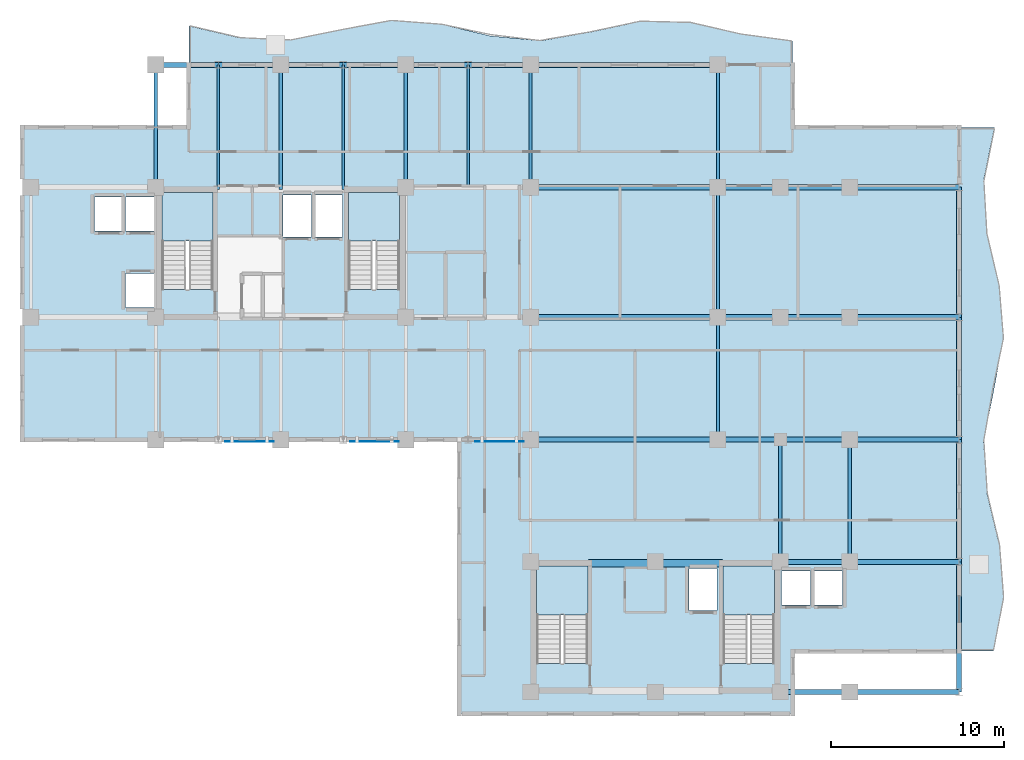
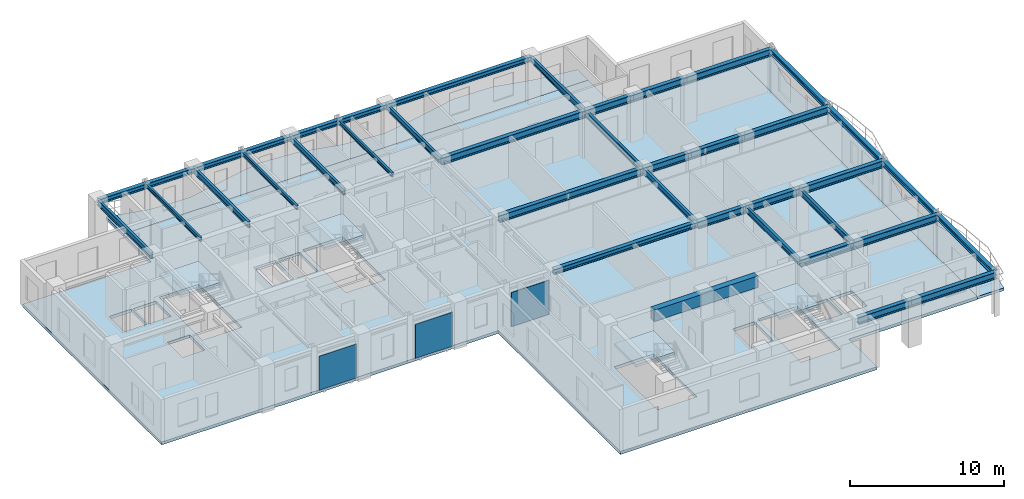
# One storey, part 4 of 14: 40 beams, 7 slabs, 3 plates, 4 elements without a shape of their own.
"""IFC4 building model written with IfcOpenShell, lengths in metres."""

from ifc_helpers import new_model, si_unit, direction, frame, origin, origin_2d, place, context, subcontext, project, spatial, polyline, rectangle, i_section, outline, extrude, source, transform, mapped, material, layer, layer_set, material_profile, profile_set, type_object, element, aggregate, save


model = new_model("IFC4")

# Units and contexts
model_context = context("Model", 3, precision=1e-05, world=origin(), true_north=direction((0.0, 1.0)))
body_context = subcontext(model_context, "Body", "Model", "MODEL_VIEW")
ifc_project = project(units=[si_unit("LENGTHUNIT", "METRE"), si_unit("AREAUNIT", "SQUARE_METRE"), si_unit("VOLUMEUNIT", "CUBIC_METRE"), si_unit("PLANEANGLEUNIT", "RADIAN"), si_unit("MASSUNIT", "GRAM", prefix="KILO")], contexts=[model_context])

# Site, building, storey
site_placement = place(None, origin())
site = spatial("IfcSite", under=ifc_project, at=site_placement, CompositionType="ELEMENT")
building_placement = place(site_placement, origin())
building = spatial("IfcBuilding", under=site, at=building_placement, Name="Kaliganga Portal Commons", CompositionType="ELEMENT")
storey_placement = place(building_placement, frame((0.0, 0.0, 227.699951171875)))
storey = spatial("IfcBuildingStorey", under=building, at=storey_placement, Name="L58", CompositionType="ELEMENT", Elevation=227.699951171875)

# Beams
ifc_material_1 = material(Name="Concrete C50/60", Category="concrete")
ifc_material_profile_1 = material_profile(ifc_material_1, rectangle(XDim=0.449951171875, YDim=0.89990234375, at=origin_2d()), Name="RC 450x900")
ifc_profile_set_1 = profile_set([ifc_material_profile_1], Name="Concrete C50/60")
beam_type_1 = type_object("IfcBeamType", Name="BM-CPL-900", PredefinedType="LINTEL", material=ifc_profile_set_1)
shared_shape_1 = source(origin(), body_context, "Body", "SweptSolid", [
    extrude(rectangle(XDim=0.449951171875, YDim=0.89990234375, at=origin_2d()), origin(), (0.0, 0.0, 1.0), 7.739990234375),
])
beam_1_placement = place(storey_placement, frame((39.330078125, 14.47509765625, 3.02001953125), z_axis=(1.0, 0.0, 0.0), x_axis=(0.0, 1.0, 0.0)))
element("IfcBeam", 1, at=beam_1_placement, inside=storey, type_object=beam_type_1, Name="BM CPL COREB L58 N", PredefinedType="LINTEL", context=body_context, shape_type="MappedRepresentation", body=[
    mapped(shared_shape_1, transform((0.0, 0.0, 0.0), x_axis=(1.0, 0.0, 0.0), y_axis=(0.0, 1.0, 0.0), z_axis=(0.0, 0.0, 1.0), scale=1.0)),
])
ifc_material_2 = material(Name="Structural steel S355J2", Category="steel")
ifc_material_profile_2 = material_profile(ifc_material_2, i_section(OverallWidth=0.18994140625, OverallDepth=0.449951171875, WebThickness=0.009521484375, FlangeThickness=0.0146484375, FilletRadius=0.02099609375, at=origin_2d()), Name="IPE 450")
ifc_profile_set_2 = profile_set([ifc_material_profile_2], Name="Structural steel S355J2 wide-flange")
beam_type_2 = type_object("IfcBeamType", Name="BM-FLR-450", PredefinedType="BEAM", material=ifc_profile_set_2)
shared_shape_2 = source(origin(), body_context, "Body", "SweptSolid", [
    extrude(i_section(OverallWidth=0.18994140625, OverallDepth=0.449951171875, WebThickness=0.009521484375, FlangeThickness=0.0146484375, FilletRadius=0.02099609375, at=origin_2d()), origin(), (0.0, 0.0, 1.0), 7.5),
])
beam_2_placement = place(storey_placement, frame((46.800048828125, 28.64990234375, 3.2451171875), z_axis=(0.0, 1.0, 0.0), x_axis=(-1.0, 0.0, 0.0)))
element("IfcBeam", 2, at=beam_2_placement, inside=storey, type_object=beam_type_2, Name="BM G L58 AM468", PredefinedType="BEAM", context=body_context, shape_type="MappedRepresentation", body=[
    mapped(shared_shape_2, transform((0.0, 0.0, 0.0), x_axis=(1.0, 0.0, 0.0), y_axis=(0.0, 1.0, 0.0), z_axis=(0.0, 0.0, 1.0), scale=1.0)),
])
shared_shape_3 = source(origin(), body_context, "Body", "SweptSolid", [
    extrude(i_section(OverallWidth=0.18994140625, OverallDepth=0.449951171875, WebThickness=0.009521484375, FlangeThickness=0.0146484375, FilletRadius=0.02099609375, at=origin_2d()), origin(), (0.0, 0.0, 1.0), 7.050048828125),
])
for number, where, z_axis, x_axis, name in (
    (3, (14.39990234375, 36.14990234375, 3.2451171875), (0.0, 1.0, 0.0), (-1.0, 0.0, 0.0), "BM G L58 AN144"),
    (4, (28.800048828125, 36.14990234375, 3.2451171875), (0.0, 1.0, 0.0), (-1.0, 0.0, 0.0), "BM G L58 AN288"),
    (5, (36.0, 36.14990234375, 3.2451171875), (0.0, 1.0, 0.0), (-1.0, 0.0, 0.0), "BM G L58 AN360"),
    (6, (46.800048828125, 36.14990234375, 3.2451171875), (0.0, 1.0, 0.0), (-1.0, 0.0, 0.0), "BM G L58 AN468"),
    (7, (50.39990234375, 14.550048828125, 3.2451171875), (0.0, 1.0, 0.0), (-1.0, 0.0, 0.0), "BM G L58 BNK504"),
    (8, (54.39990234375, 14.550048828125, 3.2451171875), (0.0, 1.0, 0.0), (-1.0, 0.0, 0.0), "BM G L58 BNK544"),
):
    element("IfcBeam", number, at=place(storey_placement, frame(where, z_axis=z_axis, x_axis=x_axis)), inside=storey, type_object=beam_type_2, Name=name, PredefinedType="BEAM", context=body_context, shape_type="MappedRepresentation", body=[
        mapped(shared_shape_3, transform((0.0, 0.0, 0.0), x_axis=(1.0, 0.0, 0.0), y_axis=(0.0, 1.0, 0.0), z_axis=(0.0, 0.0, 1.0), scale=1.0)),
    ])
shared_shape_4 = source(origin(), body_context, "Body", "SweptSolid", [
    extrude(i_section(OverallWidth=0.18994140625, OverallDepth=0.449951171875, WebThickness=0.009521484375, FlangeThickness=0.0146484375, FilletRadius=0.02099609375, at=origin_2d()), origin(), (0.0, 0.0, 1.0), 7.0498046875),
])
beam_3_placement = place(storey_placement, frame((46.800048828125, 21.60009765625, 3.2451171875), z_axis=(0.0, 1.0, 0.0), x_axis=(-1.0, 0.0, 0.0)))
element("IfcBeam", 9, at=beam_3_placement, inside=storey, type_object=beam_type_2, Name="BM G L58 AS468", PredefinedType="BEAM", context=body_context, shape_type="MappedRepresentation", body=[
    mapped(shared_shape_4, transform((0.0, 0.0, 0.0), x_axis=(1.0, 0.0, 0.0), y_axis=(0.0, 1.0, 0.0), z_axis=(0.0, 0.0, 1.0), scale=1.0)),
])
ifc_material_profile_3 = material_profile(ifc_material_2, i_section(OverallWidth=0.14990234375, OverallDepth=0.300048828125, WebThickness=0.007080078125, FlangeThickness=0.0107421875, FilletRadius=0.014892578125, at=origin_2d()), Name="IPE 300")
ifc_profile_set_3 = profile_set([ifc_material_profile_3], Name="Structural steel S355J2 wide-flange")
beam_type_3 = type_object("IfcBeamType", Name="BM-JST-300", PredefinedType="JOIST", material=ifc_profile_set_3)
shared_shape_5 = source(origin(), body_context, "Body", "SweptSolid", [
    extrude(i_section(OverallWidth=0.14990234375, OverallDepth=0.300048828125, WebThickness=0.007080078125, FlangeThickness=0.0107421875, FilletRadius=0.014892578125, at=origin_2d()), origin(), (0.0, 0.0, 1.0), 7.050048828125),
])
beam_4_placement = place(storey_placement, frame((32.39990234375, 36.14990234375, 3.320068359375), z_axis=(0.0, 1.0, 0.0), x_axis=(-1.0, 0.0, 0.0)))
element("IfcBeam", 10, at=beam_4_placement, inside=storey, type_object=beam_type_3, Name="BM G L58 AN324", PredefinedType="JOIST", context=body_context, shape_type="MappedRepresentation", body=[
    mapped(shared_shape_5, transform((0.0, 0.0, 0.0), x_axis=(1.0, 0.0, 0.0), y_axis=(0.0, 1.0, 0.0), z_axis=(0.0, 0.0, 1.0), scale=1.0)),
])
ifc_material_profile_4 = material_profile(ifc_material_2, i_section(OverallWidth=0.300048828125, OverallDepth=0.39990234375, WebThickness=0.013427734375, FlangeThickness=0.02392578125, FilletRadius=0.027099609375, at=origin_2d()), Name="HE 400 B")
ifc_profile_set_4 = profile_set([ifc_material_profile_4], Name="Structural steel S355J2 wide-flange")
beam_type_4 = type_object("IfcBeamType", Name="BM-SPAND-400", PredefinedType="SPANDREL", material=ifc_profile_set_4)
shared_shape_6 = source(origin(), body_context, "Body", "SweptSolid", [
    extrude(i_section(OverallWidth=0.300048828125, OverallDepth=0.39990234375, WebThickness=0.013427734375, FlangeThickness=0.02392578125, FilletRadius=0.027099609375, at=origin_2d()), origin(), (0.0, 0.0, 1.0), 3.60009765625),
])
for number, where, z_axis, x_axis, name in (
    (11, (14.39990234375, 43.199951171875, 3.27001953125), (1.0, 0.0, 0.0), (0.0, 1.0, 0.0), "BM SP L58 AN 1"),
    (12, (18.0, 43.199951171875, 3.27001953125), (1.0, 0.0, 0.0), (0.0, 1.0, 0.0), "BM SP L58 AN 2"),
    (13, (25.199951171875, 43.199951171875, 3.27001953125), (1.0, 0.0, 0.0), (0.0, 1.0, 0.0), "BM SP L58 AN 4"),
    (14, (32.39990234375, 43.199951171875, 3.27001953125), (1.0, 0.0, 0.0), (0.0, 1.0, 0.0), "BM SP L58 AN 6"),
):
    element("IfcBeam", number, at=place(storey_placement, frame(where, z_axis=z_axis, x_axis=x_axis)), inside=storey, type_object=beam_type_4, Name=name, PredefinedType="SPANDREL", context=body_context, shape_type="MappedRepresentation", body=[
        mapped(shared_shape_6, transform((0.0, 0.0, 0.0), x_axis=(1.0, 0.0, 0.0), y_axis=(0.0, 1.0, 0.0), z_axis=(0.0, 0.0, 1.0), scale=1.0)),
    ])
shared_shape_7 = source(origin(), body_context, "Body", "SweptSolid", [
    extrude(i_section(OverallWidth=0.300048828125, OverallDepth=0.39990234375, WebThickness=0.013427734375, FlangeThickness=0.02392578125, FilletRadius=0.027099609375, at=origin_2d()), origin(), (0.0, 0.0, 1.0), 3.599853515625),
])
for number, where, z_axis, x_axis, name in (
    (15, (21.60009765625, 43.199951171875, 3.27001953125), (1.0, 0.0, 0.0), (0.0, 1.0, 0.0), "BM SP L58 AN 3"),
    (16, (28.800048828125, 43.199951171875, 3.27001953125), (1.0, 0.0, 0.0), (0.0, 1.0, 0.0), "BM SP L58 AN 5"),
):
    element("IfcBeam", number, at=place(storey_placement, frame(where, z_axis=z_axis, x_axis=x_axis)), inside=storey, type_object=beam_type_4, Name=name, PredefinedType="SPANDREL", context=body_context, shape_type="MappedRepresentation", body=[
        mapped(shared_shape_7, transform((0.0, 0.0, 0.0), x_axis=(1.0, 0.0, 0.0), y_axis=(0.0, 1.0, 0.0), z_axis=(0.0, 0.0, 1.0), scale=1.0)),
    ])
shared_shape_8 = source(origin(), body_context, "Body", "SweptSolid", [
    extrude(i_section(OverallWidth=0.300048828125, OverallDepth=0.39990234375, WebThickness=0.013427734375, FlangeThickness=0.02392578125, FilletRadius=0.027099609375, at=origin_2d()), origin(), (0.0, 0.0, 1.0), 10.800048828125),
])
for number, where, z_axis, x_axis, name in (
    (17, (36.0, 43.199951171875, 3.27001953125), (1.0, 0.0, 0.0), (0.0, 1.0, 0.0), "BM SP L58 AN 7"),
    (18, (36.0, 21.60009765625, 3.27001953125), (1.0, 0.0, 0.0), (0.0, 1.0, 0.0), "BM SP L58 AS 7"),
):
    element("IfcBeam", number, at=place(storey_placement, frame(where, z_axis=z_axis, x_axis=x_axis)), inside=storey, type_object=beam_type_4, Name=name, PredefinedType="SPANDREL", context=body_context, shape_type="MappedRepresentation", body=[
        mapped(shared_shape_8, transform((0.0, 0.0, 0.0), x_axis=(1.0, 0.0, 0.0), y_axis=(0.0, 1.0, 0.0), z_axis=(0.0, 0.0, 1.0), scale=1.0)),
    ])
ifc_material_profile_5 = material_profile(ifc_material_2, i_section(OverallWidth=0.300048828125, OverallDepth=0.550048828125, WebThickness=0.014892578125, FlangeThickness=0.029052734375, FilletRadius=0.027099609375, at=origin_2d()), Name="HE 550 B")
ifc_profile_set_5 = profile_set([ifc_material_profile_5], Name="Structural steel S355J2 wide-flange")
beam_type_5 = type_object("IfcBeamType", Name="BM-GIRD-550", PredefinedType="USERDEFINED", material=ifc_profile_set_5)
shared_shape_9 = source(origin(), body_context, "Body", "SweptSolid", [
    extrude(i_section(OverallWidth=0.300048828125, OverallDepth=0.550048828125, WebThickness=0.014892578125, FlangeThickness=0.029052734375, FilletRadius=0.027099609375, at=origin_2d()), origin(), (0.0, 0.0, 1.0), 10.800048828125),
])
for number, where, z_axis, x_axis, name in (
    (19, (36.0, 28.64990234375, 3.195068359375), (1.0, 0.0, 0.0), (0.0, 1.0, 0.0), "BM G L58 WAE_S 2"),
    (20, (36.0, 36.14990234375, 3.195068359375), (1.0, 0.0, 0.0), (0.0, 1.0, 0.0), "BM G L58 WAE_N 2"),
):
    element("IfcBeam", number, at=place(storey_placement, frame(where, z_axis=z_axis, x_axis=x_axis)), inside=storey, type_object=beam_type_5, Name=name, ObjectType="GIRDER", PredefinedType="USERDEFINED", context=body_context, shape_type="MappedRepresentation", body=[
        mapped(shared_shape_9, transform((0.0, 0.0, 0.0), x_axis=(1.0, 0.0, 0.0), y_axis=(0.0, 1.0, 0.0), z_axis=(0.0, 0.0, 1.0), scale=1.0)),
    ])
shared_shape_10 = source(origin(), body_context, "Body", "SweptSolid", [
    extrude(i_section(OverallWidth=0.14990234375, OverallDepth=0.300048828125, WebThickness=0.007080078125, FlangeThickness=0.0107421875, FilletRadius=0.014892578125, at=origin_2d()), origin(), (0.0, 0.0, 1.0), 7.175048828125),
])
for number, where, z_axis, x_axis, name in (
    (21, (18.0, 36.02490234375, 3.320068359375), (0.0, 1.0, 0.0), (-1.0, 0.0, 0.0), "BM G L58 AN180"),
    (22, (25.199951171875, 36.02490234375, 3.320068359375), (0.0, 1.0, 0.0), (-1.0, 0.0, 0.0), "BM G L58 AN252"),
):
    element("IfcBeam", number, at=place(storey_placement, frame(where, z_axis=z_axis, x_axis=x_axis)), inside=storey, type_object=beam_type_3, Name=name, PredefinedType="JOIST", context=body_context, shape_type="MappedRepresentation", body=[
        mapped(shared_shape_10, transform((0.0, 0.0, 0.0), x_axis=(1.0, 0.0, 0.0), y_axis=(0.0, 1.0, 0.0), z_axis=(0.0, 0.0, 1.0), scale=1.0)),
    ])
shared_shape_11 = source(origin(), body_context, "Body", "SweptSolid", [
    extrude(i_section(OverallWidth=0.18994140625, OverallDepth=0.449951171875, WebThickness=0.009521484375, FlangeThickness=0.0146484375, FilletRadius=0.02099609375, at=origin_2d()), origin(), (0.0, 0.0, 1.0), 7.175048828125),
])
beam_5_placement = place(storey_placement, frame((21.60009765625, 36.02490234375, 3.2451171875), z_axis=(0.0, 1.0, 0.0), x_axis=(-1.0, 0.0, 0.0)))
element("IfcBeam", 23, at=beam_5_placement, inside=storey, type_object=beam_type_2, Name="BM G L58 AN216", PredefinedType="BEAM", context=body_context, shape_type="MappedRepresentation", body=[
    mapped(shared_shape_11, transform((0.0, 0.0, 0.0), x_axis=(1.0, 0.0, 0.0), y_axis=(0.0, 1.0, 0.0), z_axis=(0.0, 0.0, 1.0), scale=1.0)),
])
shared_shape_12 = source(origin(), body_context, "Body", "SweptSolid", [
    extrude(i_section(OverallWidth=0.300048828125, OverallDepth=0.550048828125, WebThickness=0.014892578125, FlangeThickness=0.029052734375, FilletRadius=0.027099609375, at=origin_2d()), origin(), (0.0, 0.0, 1.0), 4.0),
])
for number, where, z_axis, x_axis, name in (
    (24, (50.39990234375, 7.050048828125, 3.195068359375), (1.0, 0.0, 0.0), (0.0, 1.0, 0.0), "BM G L58 BKE70 1"),
    (25, (50.39990234375, 14.550048828125, 3.195068359375), (1.0, 0.0, 0.0), (0.0, 1.0, 0.0), "BM G L58 BKE146 1"),
    (26, (50.39990234375, 21.60009765625, 3.195068359375), (1.0, 0.0, 0.0), (0.0, 1.0, 0.0), "BM G L58 BKE216 2"),
    (27, (50.39990234375, 28.64990234375, 3.195068359375), (1.0, 0.0, 0.0), (0.0, 1.0, 0.0), "BM G L58 BKE286 2"),
    (28, (50.39990234375, 36.14990234375, 3.195068359375), (1.0, 0.0, 0.0), (0.0, 1.0, 0.0), "BM G L58 BKE362 2"),
):
    element("IfcBeam", number, at=place(storey_placement, frame(where, z_axis=z_axis, x_axis=x_axis)), inside=storey, type_object=beam_type_5, Name=name, ObjectType="GIRDER", PredefinedType="USERDEFINED", context=body_context, shape_type="MappedRepresentation", body=[
        mapped(shared_shape_12, transform((0.0, 0.0, 0.0), x_axis=(1.0, 0.0, 0.0), y_axis=(0.0, 1.0, 0.0), z_axis=(0.0, 0.0, 1.0), scale=1.0)),
    ])
shared_shape_13 = source(origin(), body_context, "Body", "SweptSolid", [
    extrude(i_section(OverallWidth=0.300048828125, OverallDepth=0.550048828125, WebThickness=0.014892578125, FlangeThickness=0.029052734375, FilletRadius=0.027099609375, at=origin_2d()), origin(), (0.0, 0.0, 1.0), 6.300048828125),
])
for number, where, z_axis, x_axis, name in (
    (29, (54.39990234375, 7.050048828125, 3.195068359375), (1.0, 0.0, 0.0), (0.0, 1.0, 0.0), "BM G L58 BKE70 2"),
    (30, (54.39990234375, 14.550048828125, 3.195068359375), (1.0, 0.0, 0.0), (0.0, 1.0, 0.0), "BM G L58 BKE146 2"),
    (31, (54.39990234375, 21.60009765625, 3.195068359375), (1.0, 0.0, 0.0), (0.0, 1.0, 0.0), "BM G L58 BKE216 3"),
    (32, (54.39990234375, 28.64990234375, 3.195068359375), (1.0, 0.0, 0.0), (0.0, 1.0, 0.0), "BM G L58 BKE286 3"),
    (33, (54.39990234375, 36.14990234375, 3.195068359375), (1.0, 0.0, 0.0), (0.0, 1.0, 0.0), "BM G L58 BKE362 3"),
):
    element("IfcBeam", number, at=place(storey_placement, frame(where, z_axis=z_axis, x_axis=x_axis)), inside=storey, type_object=beam_type_5, Name=name, ObjectType="GIRDER", PredefinedType="USERDEFINED", context=body_context, shape_type="MappedRepresentation", body=[
        mapped(shared_shape_13, transform((0.0, 0.0, 0.0), x_axis=(1.0, 0.0, 0.0), y_axis=(0.0, 1.0, 0.0), z_axis=(0.0, 0.0, 1.0), scale=1.0)),
    ])
shared_shape_14 = source(origin(), body_context, "Body", "SweptSolid", [
    extrude(i_section(OverallWidth=0.300048828125, OverallDepth=0.550048828125, WebThickness=0.014892578125, FlangeThickness=0.029052734375, FilletRadius=0.027099609375, at=origin_2d()), origin(), (0.0, 0.0, 1.0), 3.599853515625),
])
for number, where, z_axis, x_axis, name in (
    (34, (46.800048828125, 21.60009765625, 3.195068359375), (1.0, 0.0, 0.0), (0.0, 1.0, 0.0), "BM G L58 BKE216 1"),
    (35, (46.800048828125, 28.64990234375, 3.195068359375), (1.0, 0.0, 0.0), (0.0, 1.0, 0.0), "BM G L58 BKE286 1"),
    (36, (46.800048828125, 36.14990234375, 3.195068359375), (1.0, 0.0, 0.0), (0.0, 1.0, 0.0), "BM G L58 BKE362 1"),
):
    element("IfcBeam", number, at=place(storey_placement, frame(where, z_axis=z_axis, x_axis=x_axis)), inside=storey, type_object=beam_type_5, Name=name, ObjectType="GIRDER", PredefinedType="USERDEFINED", context=body_context, shape_type="MappedRepresentation", body=[
        mapped(shared_shape_14, transform((0.0, 0.0, 0.0), x_axis=(1.0, 0.0, 0.0), y_axis=(0.0, 1.0, 0.0), z_axis=(0.0, 0.0, 1.0), scale=1.0)),
    ])
shared_shape_15 = source(origin(), body_context, "Body", "SweptSolid", [
    extrude(i_section(OverallWidth=0.300048828125, OverallDepth=0.39990234375, WebThickness=0.013427734375, FlangeThickness=0.02392578125, FilletRadius=0.027099609375, at=origin_2d()), origin(), (0.0, 0.0, 1.0), 7.5),
])
for number, where, z_axis, x_axis, name in (
    (37, (60.699951171875, 7.050048828125, 3.27001953125), (0.0, 1.0, 0.0), (-1.0, 0.0, 0.0), "BM SP L58 BE 1"),
    (38, (60.699951171875, 28.64990234375, 3.27001953125), (0.0, 1.0, 0.0), (-1.0, 0.0, 0.0), "BM SP L58 BE 4"),
):
    element("IfcBeam", number, at=place(storey_placement, frame(where, z_axis=z_axis, x_axis=x_axis)), inside=storey, type_object=beam_type_4, Name=name, PredefinedType="SPANDREL", context=body_context, shape_type="MappedRepresentation", body=[
        mapped(shared_shape_15, transform((0.0, 0.0, 0.0), x_axis=(1.0, 0.0, 0.0), y_axis=(0.0, 1.0, 0.0), z_axis=(0.0, 0.0, 1.0), scale=1.0)),
    ])
shared_shape_16 = source(origin(), body_context, "Body", "SweptSolid", [
    extrude(i_section(OverallWidth=0.300048828125, OverallDepth=0.39990234375, WebThickness=0.013427734375, FlangeThickness=0.02392578125, FilletRadius=0.027099609375, at=origin_2d()), origin(), (0.0, 0.0, 1.0), 7.050048828125),
])
beam_6_placement = place(storey_placement, frame((60.699951171875, 14.550048828125, 3.27001953125), z_axis=(0.0, 1.0, 0.0), x_axis=(-1.0, 0.0, 0.0)))
element("IfcBeam", 39, at=beam_6_placement, inside=storey, type_object=beam_type_4, Name="BM SP L58 BE 2", PredefinedType="SPANDREL", context=body_context, shape_type="MappedRepresentation", body=[
    mapped(shared_shape_16, transform((0.0, 0.0, 0.0), x_axis=(1.0, 0.0, 0.0), y_axis=(0.0, 1.0, 0.0), z_axis=(0.0, 0.0, 1.0), scale=1.0)),
])
shared_shape_17 = source(origin(), body_context, "Body", "SweptSolid", [
    extrude(i_section(OverallWidth=0.300048828125, OverallDepth=0.39990234375, WebThickness=0.013427734375, FlangeThickness=0.02392578125, FilletRadius=0.027099609375, at=origin_2d()), origin(), (0.0, 0.0, 1.0), 7.0498046875),
])
beam_7_placement = place(storey_placement, frame((60.699951171875, 21.60009765625, 3.27001953125), z_axis=(0.0, 1.0, 0.0), x_axis=(-1.0, 0.0, 0.0)))
element("IfcBeam", 40, at=beam_7_placement, inside=storey, type_object=beam_type_4, Name="BM SP L58 BE 3", PredefinedType="SPANDREL", context=body_context, shape_type="MappedRepresentation", body=[
    mapped(shared_shape_17, transform((0.0, 0.0, 0.0), x_axis=(1.0, 0.0, 0.0), y_axis=(0.0, 1.0, 0.0), z_axis=(0.0, 0.0, 1.0), scale=1.0)),
])

# Slabs
ifc_material_3 = material(Name="Concrete C40/50", Category="concrete")
ifc_layer_1 = layer(ifc_material_3, 0.2099609375)
ifc_layer_set_1 = layer_set([ifc_layer_1], Name="Concrete C40/50")
slab_type_1 = type_object("IfcSlabType", Name="SLB-BALC-210", PredefinedType="FLOOR", material=ifc_layer_set_1)
slab_1_placement = place(storey_placement, frame((0.0, 0.0, -0.2099609375)))
element("IfcSlab", 41, at=slab_1_placement, inside=storey, type_object=slab_type_1, Name="Scalloped Tree-Planter Balcony Slab L58 balc_north", PredefinedType="FLOOR", context=body_context, shape_type="SweptSolid", body=[
    extrude(outline(polyline([(51.10009765625, 43.199951171875), (51.10009765625, 44.58203125), (48.199951171875, 44.978759765625), (45.300048828125, 45.652099609375), (42.39990234375, 45.724609375), (39.5, 45.10205078125), (36.60009765625, 44.59521484375), (33.699951171875, 44.86474609375), (30.800048828125, 45.55908203125), (27.89990234375, 45.77392578125), (25.0, 45.229248046875), (22.10009765625, 44.634765625), (19.199951171875, 44.764892578125), (16.300048828125, 45.4501953125), (16.300048828125, 43.199951171875), (51.10009765625, 43.199951171875)])), origin(), (0.0, 0.0, 1.0), 0.2099609375),
])
slab_2_placement = place(storey_placement, frame((0.0, 0.0, -0.2099609375)))
element("IfcSlab", 42, at=slab_2_placement, inside=storey, type_object=slab_type_1, Name="Scalloped Tree-Planter Balcony Slab L58 balc_east", PredefinedType="FLOOR", context=body_context, shape_type="SweptSolid", body=[
    extrude(outline(polyline([(60.699951171875, 9.39990234375), (62.69091796875, 9.39990234375), (63.271728515625, 12.419921875), (63.040771484375, 15.43994140625), (62.32080078125, 18.4599609375), (62.118408203125, 21.47998046875), (62.716552734375, 24.5), (63.27880859375, 27.52001953125), (63.01953125, 30.5400390625), (62.30078125, 33.56005859375), (62.127685546875, 36.580078125), (62.741943359375, 39.60009765625), (60.699951171875, 39.60009765625), (60.699951171875, 9.39990234375)])), origin(), (0.0, 0.0, 1.0), 0.2099609375),
])

# Stair, slab
stair_type = type_object("IfcStairType", Name="ST-CORE-DOGLEG", PredefinedType="HALF_TURN_STAIR", material=ifc_material_3)
stair_1_placement = place(storey_placement, origin())
stair_1 = element("IfcStair", 43, at=stair_1_placement, inside=storey, type_object=stair_type, Name="L58 Protected Exit Stair ST-A1", PredefinedType="HALF_TURN_STAIR")
ifc_layer_2 = layer(ifc_material_3, 0.199951171875)
ifc_layer_set_2 = layer_set([ifc_layer_2], Name="Concrete C40/50")
slab_type_2 = type_object("IfcSlabType", Name="SLB-STAIR-LND", PredefinedType="LANDING", material=ifc_layer_set_2)
slab_3_placement = place(storey_placement, frame((0.0, 0.0, 1.650146484375)))
slab_3 = element("IfcSlab", 44, at=slab_3_placement, type_object=slab_type_2, Name="ST-A1 landing 1", PredefinedType="LANDING", context=body_context, shape_type="SweptSolid", body=[
    extrude(outline(polyline([(17.699951171875, 33.050048828125), (17.699951171875, 35.85009765625), (14.75, 35.85009765625), (14.75, 33.050048828125), (17.699951171875, 33.050048828125)])), origin(), (0.0, 0.0, 1.0), 0.199951171875),
])
aggregate(stair_1, [slab_3])

stair_2_placement = place(storey_placement, origin())
stair_2 = element("IfcStair", 45, at=stair_2_placement, inside=storey, type_object=stair_type, Name="L58 Protected Exit Stair ST-A2", PredefinedType="HALF_TURN_STAIR")
slab_4_placement = place(storey_placement, frame((0.0, 0.0, 1.650146484375)))
slab_4 = element("IfcSlab", 46, at=slab_4_placement, type_object=slab_type_2, Name="ST-A2 landing 1", PredefinedType="LANDING", context=body_context, shape_type="SweptSolid", body=[
    extrude(outline(polyline([(28.449951171875, 33.050048828125), (28.449951171875, 35.85009765625), (25.5, 35.85009765625), (25.5, 33.050048828125), (28.449951171875, 33.050048828125)])), origin(), (0.0, 0.0, 1.0), 0.199951171875),
])
aggregate(stair_2, [slab_4])

stair_3_placement = place(storey_placement, origin())
stair_3 = element("IfcStair", 47, at=stair_3_placement, inside=storey, type_object=stair_type, Name="L58 Protected Exit Stair ST-B1", PredefinedType="HALF_TURN_STAIR")
slab_5_placement = place(storey_placement, frame((0.0, 0.0, 1.650146484375)))
slab_5 = element("IfcSlab", 48, at=slab_5_placement, type_object=slab_type_2, Name="ST-B1 landing 1", PredefinedType="LANDING", context=body_context, shape_type="SweptSolid", body=[
    extrude(outline(polyline([(39.300048828125, 11.5), (39.300048828125, 14.300048828125), (36.35009765625, 14.300048828125), (36.35009765625, 11.5), (39.300048828125, 11.5)])), origin(), (0.0, 0.0, 1.0), 0.199951171875),
])
aggregate(stair_3, [slab_5])

stair_4_placement = place(storey_placement, origin())
stair_4 = element("IfcStair", 49, at=stair_4_placement, inside=storey, type_object=stair_type, Name="L58 Protected Exit Stair ST-B2", PredefinedType="HALF_TURN_STAIR")
slab_6_placement = place(storey_placement, frame((0.0, 0.0, 1.650146484375)))
slab_6 = element("IfcSlab", 50, at=slab_6_placement, type_object=slab_type_2, Name="ST-B2 landing 1", PredefinedType="LANDING", context=body_context, shape_type="SweptSolid", body=[
    extrude(outline(polyline([(50.050048828125, 11.5), (50.050048828125, 14.300048828125), (47.10009765625, 14.300048828125), (47.10009765625, 11.5), (50.050048828125, 11.5)])), origin(), (0.0, 0.0, 1.0), 0.199951171875),
])
aggregate(stair_4, [slab_6])

# Slab
ifc_layer_3 = layer(ifc_material_3, 0.22998046875)
ifc_layer_set_3 = layer_set([ifc_layer_3], Name="Concrete C40/50")
slab_type_3 = type_object("IfcSlabType", Name="SLB-TWR-230", PredefinedType="FLOOR", material=ifc_layer_set_3)
slab_7_placement = place(storey_placement, frame((0.0, 0.0, -0.22998046875)))
element("IfcSlab", 51, at=slab_7_placement, inside=storey, type_object=slab_type_3, Name="Structural Floor Slab L58", PredefinedType="FLOOR", context=body_context, shape_type="SweptSolid", body=[
    extrude(outline(polyline([(31.89990234375, 5.800048828125), (51.10009765625, 5.800048828125), (51.10009765625, 9.39990234375), (60.699951171875, 9.39990234375), (60.699951171875, 39.60009765625), (51.10009765625, 39.60009765625), (51.10009765625, 43.199951171875), (16.300048828125, 43.199951171875), (16.300048828125, 39.60009765625), (6.699951171875, 39.60009765625), (6.699951171875, 21.60009765625), (31.89990234375, 21.60009765625), (31.89990234375, 5.800048828125)]), holes=[polyline([(14.75, 30.25390625), (14.75, 35.85009765625), (17.699951171875, 35.85009765625), (17.699951171875, 30.25390625), (14.75, 30.25390625)]), polyline([(25.5, 30.25390625), (25.5, 35.85009765625), (28.449951171875, 35.85009765625), (28.449951171875, 30.25390625), (25.5, 30.25390625)]), polyline([(36.35009765625, 8.7041015625), (36.35009765625, 14.300048828125), (39.300048828125, 14.300048828125), (39.300048828125, 8.7041015625), (36.35009765625, 8.7041015625)]), polyline([(47.10009765625, 8.7041015625), (47.10009765625, 14.300048828125), (50.050048828125, 14.300048828125), (50.050048828125, 8.7041015625), (47.10009765625, 8.7041015625)]), polyline([(12.6650390625, 33.614990234375), (12.6650390625, 35.5849609375), (14.3349609375, 35.5849609375), (14.3349609375, 33.614990234375), (12.6650390625, 33.614990234375)]), polyline([(12.6650390625, 29.215087890625), (12.6650390625, 31.18505859375), (14.3349609375, 31.18505859375), (14.3349609375, 29.215087890625), (12.6650390625, 29.215087890625)]), polyline([(10.864990234375, 33.614990234375), (10.864990234375, 35.5849609375), (12.534912109375, 35.5849609375), (12.534912109375, 33.614990234375), (10.864990234375, 33.614990234375)]), polyline([(21.739990234375, 33.2900390625), (21.739990234375, 35.7099609375), (23.360107421875, 35.7099609375), (23.360107421875, 33.2900390625), (21.739990234375, 33.2900390625)]), polyline([(23.5400390625, 33.2900390625), (23.5400390625, 35.7099609375), (25.159912109375, 35.7099609375), (25.159912109375, 33.2900390625), (23.5400390625, 33.2900390625)]), polyline([(50.465087890625, 12.06494140625), (50.465087890625, 14.034912109375), (52.135009765625, 14.034912109375), (52.135009765625, 12.06494140625), (50.465087890625, 12.06494140625)]), polyline([(52.31494140625, 12.06494140625), (52.31494140625, 14.034912109375), (53.985107421875, 14.034912109375), (53.985107421875, 12.06494140625), (52.31494140625, 12.06494140625)]), polyline([(45.139892578125, 11.739990234375), (45.139892578125, 14.159912109375), (46.760009765625, 14.159912109375), (46.760009765625, 11.739990234375), (45.139892578125, 11.739990234375)])]), origin(), (0.0, 0.0, 1.0), 0.22998046875),
])

# Plates
ifc_material_4 = material(Name="Perforated Terracotta Monsoon Baguette Screen", Category="masonry")
ifc_layer_4 = layer(ifc_material_4, 0.034912109375)
ifc_layer_set_4 = layer_set([ifc_layer_4], Name="Perforated Terracotta Monsoon Baguette Screen")
plate_type = type_object("IfcPlateType", Name="PLT-CER-35", PredefinedType="USERDEFINED", material=ifc_layer_set_4)
shared_shape_18 = source(origin(), body_context, "Body", "SweptSolid", [
    extrude(rectangle(XDim=2.800048828125, YDim=0.034912109375, at=origin_2d()), origin(), (0.0, 0.0, 1.0), 2.68994140625),
])
for number, where, z_axis, x_axis, name in (
    (52, (19.800048828125, 21.47998046875, 0.080078125), (0.0, 0.0, 1.0), (1.0, 0.0, 0.0), "Perforated Solar Screen L58-S1"),
    (53, (27.0, 21.47998046875, 0.080078125), (0.0, 0.0, 1.0), (1.0, 0.0, 0.0), "Perforated Solar Screen L58-S2"),
    (54, (34.199951171875, 21.47998046875, 0.080078125), (0.0, 0.0, 1.0), (1.0, 0.0, 0.0), "Perforated Solar Screen L58-S3"),
):
    element("IfcPlate", number, at=place(storey_placement, frame(where, z_axis=z_axis, x_axis=x_axis)), inside=storey, type_object=plate_type, Name=name, ObjectType="SOLAR SCREEN", PredefinedType="USERDEFINED", context=body_context, shape_type="MappedRepresentation", body=[
        mapped(shared_shape_18, transform((0.0, 0.0, 0.0), x_axis=(1.0, 0.0, 0.0), y_axis=(0.0, 1.0, 0.0), z_axis=(0.0, 0.0, 1.0), scale=1.0)),
    ])

save(model, "model.ifc")
